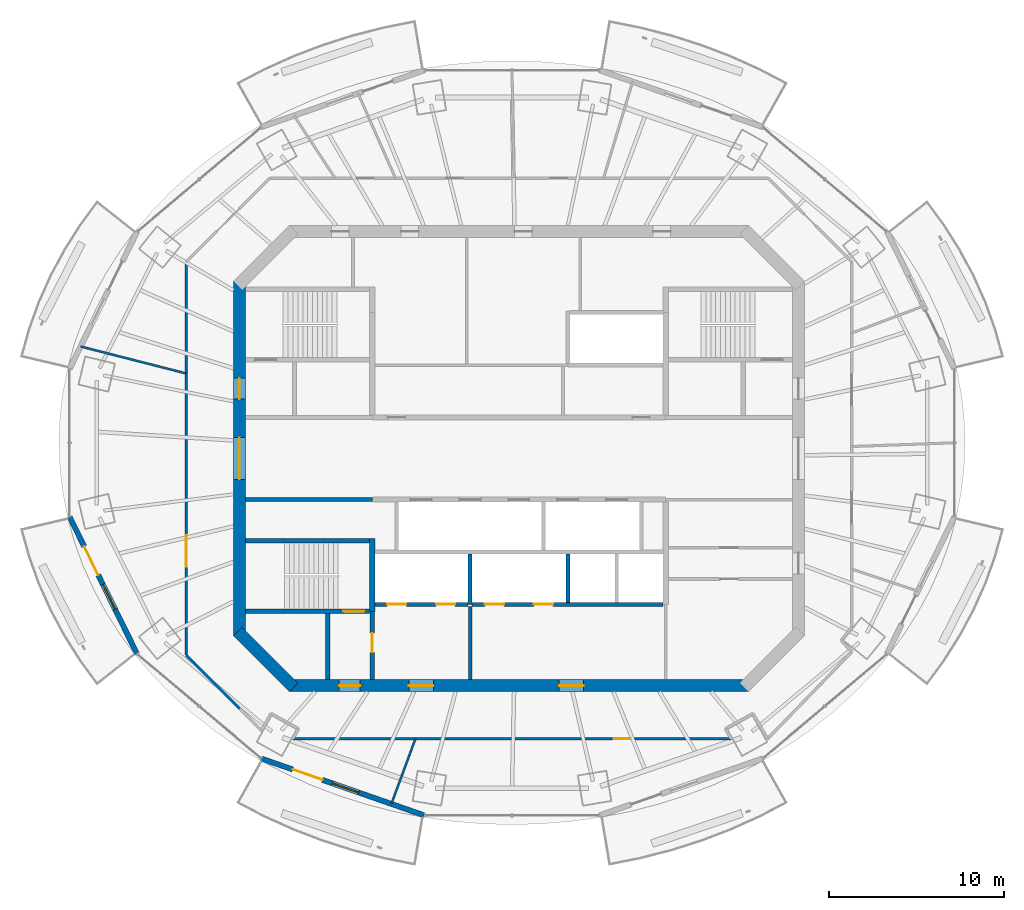
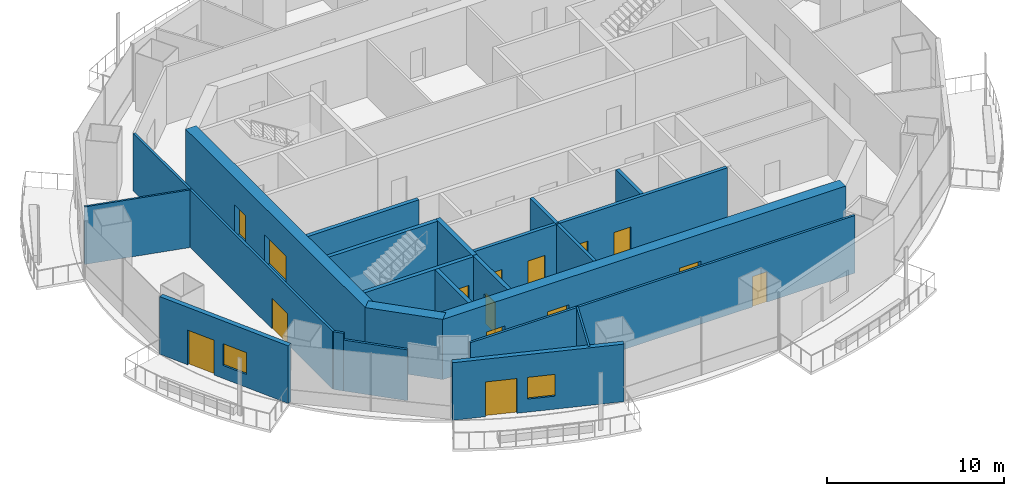
# One storey, part 8 of 16: 22 walls, 15 doors, 2 windows, 17 openings.
"""IFC4 building model written with IfcOpenShell, lengths in metres."""

from ifc_helpers import new_model, si_unit, direction, frame, frame_2d, origin, place, context, subcontext, project, spatial, rectangle, extrude, material, layer, layer_set, type_object, element, fill, save


model = new_model("IFC4")

# Units and contexts
model_context = context("Model", 3, precision=1e-05, world=origin(), true_north=direction((0.0, 1.0)))
body_context = subcontext(model_context, "Body", "Model", "MODEL_VIEW")
ifc_project = project(units=[si_unit("LENGTHUNIT", "METRE"), si_unit("AREAUNIT", "SQUARE_METRE"), si_unit("VOLUMEUNIT", "CUBIC_METRE"), si_unit("PLANEANGLEUNIT", "RADIAN"), si_unit("MASSUNIT", "GRAM", prefix="KILO")], contexts=[model_context])

# Site, building, storey
site_placement = place(None, origin())
site = spatial("IfcSite", under=ifc_project, at=site_placement, CompositionType="ELEMENT")
building_placement = place(site_placement, origin())
building = spatial("IfcBuilding", under=site, at=building_placement, Name="Marenthal Gate Tower", CompositionType="ELEMENT")
storey_placement = place(building_placement, frame((0.0, 0.0, 375.800048828125)))
storey = spatial("IfcBuildingStorey", under=building, at=storey_placement, Name="L85", CompositionType="ELEMENT", Elevation=375.800048828125)

# Wall, openings, doors
ifc_material_1 = material(Name="Concrete 60 MPa", Category="concrete")
ifc_layer_1 = layer(ifc_material_1, 0.699951171875)
ifc_layer_set_1 = layer_set([ifc_layer_1], Name="Core shear wall 700")
wall_type_1 = type_object("IfcWallType", Name="Core shear wall 700", PredefinedType="SHEAR", material=ifc_layer_set_1)
wall_1_placement = place(storey_placement, frame((-16.0, 10.14501953125, -0.179931640625), z_axis=(0.0, 0.0, 1.0), x_axis=(0.0, -1.0, 0.0)))
wall_1 = element("IfcWall", 1, at=wall_1_placement, inside=storey, type_object=wall_type_1, Name="Core wall 06", PredefinedType="SHEAR", context=body_context, shape_type="SweptSolid", body=[
    extrude(rectangle(XDim=20.2900390625, YDim=0.699951171875, at=frame_2d((10.14501953125, 0.0))), origin(), (0.0, 0.0, 1.0), 4.14990234375),
])
opening_1_placement = place(wall_1_placement, frame((8.945068359375, 0.0, 0.179931640625)))
opening_1 = element("IfcOpeningElement", 2, at=opening_1_placement, cuts=wall_1, Name="Opening D003.01", PredefinedType="OPENING", context=body_context, shape_type="SweptSolid", body=[
    extrude(rectangle(XDim=2.39990234375, YDim=2.10009765625, at=frame_2d((1.199951171875, 1.050048828125))), frame((0.0, 0.35986328125, 0.0), z_axis=(0.0, -1.0, 0.0), x_axis=(1.0, 0.0, 0.0)), (0.0, 0.0, 1.0), 0.719970703125),
])
opening_2_placement = place(wall_1_placement, frame((5.544921875, 0.0, 0.179931640625)))
opening_2 = element("IfcOpeningElement", 3, at=opening_2_placement, cuts=wall_1, Name="Opening D001.04", PredefinedType="OPENING", context=body_context, shape_type="SweptSolid", body=[
    extrude(rectangle(XDim=1.199951171875, YDim=2.10009765625, at=frame_2d((0.60009765625, 1.050048828125))), frame((0.0, 0.35986328125, 0.0), z_axis=(0.0, -1.0, 0.0), x_axis=(1.0, 0.0, 0.0)), (0.0, 0.0, 1.0), 0.719970703125),
])
ifc_material_2 = material(Name="Steel fire door", Category="steel")
door_type_1 = type_object("IfcDoorType", Name="Double fire door FD 45 2400 x 2100", OperationType="DOUBLE_DOOR_SINGLE_SWING", PredefinedType="DOOR", material=ifc_material_2)
door_1_placement = place(opening_1_placement, origin())
door_1 = element("IfcDoor", 4, at=door_1_placement, inside=storey, type_object=door_type_1, Name="Door D003.01", OperationType="DOUBLE_DOOR_SINGLE_SWING", OverallHeight=2.10009765625, OverallWidth=2.39990234375, PredefinedType="DOOR", context=body_context, shape_type="SweptSolid", body=[
    extrude(rectangle(XDim=2.39990234375, YDim=2.10009765625, at=frame_2d((1.199951171875, 1.050048828125))), frame((0.0, 0.02490234375, 0.0), z_axis=(0.0, -1.0, 0.0), x_axis=(1.0, 0.0, 0.0)), (0.0, 0.0, 1.0), 0.050048828125),
])
fill(opening_1, door_1)
ifc_material_3 = material(Name="Steel fire door", Category="steel")
door_type_2 = type_object("IfcDoorType", Name="Fire door FD 90 1200 x 2100", OperationType="NOTDEFINED", PredefinedType="DOOR", material=ifc_material_3)
door_2_placement = place(opening_2_placement, origin())
door_2 = element("IfcDoor", 5, at=door_2_placement, inside=storey, type_object=door_type_2, Name="Door D001.04", OperationType="SINGLE_SWING_RIGHT", OverallHeight=2.10009765625, OverallWidth=1.199951171875, PredefinedType="DOOR", context=body_context, shape_type="SweptSolid", body=[
    extrude(rectangle(XDim=1.199951171875, YDim=2.10009765625, at=frame_2d((0.60009765625, 1.050048828125))), frame((0.0, 0.02490234375, 0.0), z_axis=(0.0, -1.0, 0.0), x_axis=(1.0, 0.0, 0.0)), (0.0, 0.0, 1.0), 0.050048828125),
])
fill(opening_2, door_2)

# Wall
wall_2_placement = place(storey_placement, frame((-16.1025390625, -9.8974609375, -0.179931640625), z_axis=(0.0, 0.0, 1.0), x_axis=(0.707106781187, -0.707106781187, 0.0)))
element("IfcWall", 6, at=wall_2_placement, inside=storey, type_object=wall_type_1, Name="Core wall 07", PredefinedType="SHEAR", context=body_context, shape_type="SweptSolid", body=[
    extrude(rectangle(XDim=4.53271484375, YDim=0.699951171875, at=frame_2d((2.266357421875, 0.0))), origin(), (0.0, 0.0, 1.0), 4.14990234375),
])

# Wall, openings, doors
wall_3_placement = place(storey_placement, frame((-13.14501953125, -13.0, -0.179931640625), z_axis=(0.0, 0.0, 1.0), x_axis=(1.0, 0.0, 0.0)))
wall_3 = element("IfcWall", 7, at=wall_3_placement, inside=storey, type_object=wall_type_1, Name="Core wall 08", PredefinedType="SHEAR", context=body_context, shape_type="SweptSolid", body=[
    extrude(rectangle(XDim=26.2900390625, YDim=0.699951171875, at=frame_2d((13.14501953125, 0.0))), origin(), (0.0, 0.0, 1.0), 4.14990234375),
])
opening_3_placement = place(wall_3_placement, frame((2.844970703125, 0.0, 0.179931640625)))
opening_3 = element("IfcOpeningElement", 8, at=opening_3_placement, cuts=wall_3, Name="Opening D001.06", PredefinedType="OPENING", context=body_context, shape_type="SweptSolid", body=[
    extrude(rectangle(XDim=1.199951171875, YDim=2.10009765625, at=frame_2d((0.60009765625, 1.050048828125))), frame((0.0, 0.35986328125, 0.0), z_axis=(0.0, -1.0, 0.0), x_axis=(1.0, 0.0, 0.0)), (0.0, 0.0, 1.0), 0.719970703125),
])
opening_4_placement = place(wall_3_placement, frame((6.844970703125, 0.0, 0.179931640625)))
opening_4 = element("IfcOpeningElement", 9, at=opening_4_placement, cuts=wall_3, Name="Opening D004.01", PredefinedType="OPENING", context=body_context, shape_type="SweptSolid", body=[
    extrude(rectangle(XDim=1.39990234375, YDim=2.10009765625, at=frame_2d((0.699951171875, 1.050048828125))), frame((0.0, 0.35986328125, 0.0), z_axis=(0.0, -1.0, 0.0), x_axis=(1.0, 0.0, 0.0)), (0.0, 0.0, 1.0), 0.719970703125),
])
opening_5_placement = place(wall_3_placement, frame((15.445068359375, 0.0, 0.179931640625)))
opening_5 = element("IfcOpeningElement", 10, at=opening_5_placement, cuts=wall_3, Name="Opening D004.02", PredefinedType="OPENING", context=body_context, shape_type="SweptSolid", body=[
    extrude(rectangle(XDim=1.39990234375, YDim=2.10009765625, at=frame_2d((0.699951171875, 1.050048828125))), frame((0.0, 0.35986328125, 0.0), z_axis=(0.0, -1.0, 0.0), x_axis=(1.0, 0.0, 0.0)), (0.0, 0.0, 1.0), 0.719970703125),
])
ifc_material_4 = material(Name="Steel fire door", Category="steel")
door_type_3 = type_object("IfcDoorType", Name="Fire door FD 45 1400 x 2100", OperationType="NOTDEFINED", PredefinedType="DOOR", material=ifc_material_4)
door_3_placement = place(opening_4_placement, origin())
door_3 = element("IfcDoor", 11, at=door_3_placement, inside=storey, type_object=door_type_3, Name="Door D004.01", OperationType="SINGLE_SWING_RIGHT", OverallHeight=2.10009765625, OverallWidth=1.39990234375, PredefinedType="DOOR", context=body_context, shape_type="SweptSolid", body=[
    extrude(rectangle(XDim=1.39990234375, YDim=2.10009765625, at=frame_2d((0.699951171875, 1.050048828125))), frame((0.0, 0.02490234375, 0.0), z_axis=(0.0, -1.0, 0.0), x_axis=(1.0, 0.0, 0.0)), (0.0, 0.0, 1.0), 0.050048828125),
])
fill(opening_4, door_3)
door_4_placement = place(opening_5_placement, origin())
door_4 = element("IfcDoor", 12, at=door_4_placement, inside=storey, type_object=door_type_3, Name="Door D004.02", OperationType="SINGLE_SWING_RIGHT", OverallHeight=2.10009765625, OverallWidth=1.39990234375, PredefinedType="DOOR", context=body_context, shape_type="SweptSolid", body=[
    extrude(rectangle(XDim=1.39990234375, YDim=2.10009765625, at=frame_2d((0.699951171875, 1.050048828125))), frame((0.0, 0.02490234375, 0.0), z_axis=(0.0, -1.0, 0.0), x_axis=(1.0, 0.0, 0.0)), (0.0, 0.0, 1.0), 0.050048828125),
])
fill(opening_5, door_4)
door_5_placement = place(opening_3_placement, origin())
door_5 = element("IfcDoor", 13, at=door_5_placement, inside=storey, type_object=door_type_2, Name="Door D001.06", OperationType="SINGLE_SWING_RIGHT", OverallHeight=2.10009765625, OverallWidth=1.199951171875, PredefinedType="DOOR", context=body_context, shape_type="SweptSolid", body=[
    extrude(rectangle(XDim=1.199951171875, YDim=2.10009765625, at=frame_2d((0.60009765625, 1.050048828125))), frame((0.0, 0.02490234375, 0.0), z_axis=(0.0, -1.0, 0.0), x_axis=(1.0, 0.0, 0.0)), (0.0, 0.0, 1.0), 0.050048828125),
])
fill(opening_3, door_5)

# Walls
ifc_material_5 = material(Name="Gypsum board on steel studs", Category="steel")
ifc_layer_2 = layer(ifc_material_5, 0.199951171875)
ifc_layer_set_2 = layer_set([ifc_layer_2], Name="Fire lobby wall 200")
wall_type_2 = type_object("IfcWallType", Name="Fire lobby wall 200", PredefinedType="PARTITIONING", material=ifc_layer_set_2)
wall_4_placement = place(storey_placement, frame((-2.800048828125, -12.64990234375, 0.0), z_axis=(0.0, 0.0, 1.0), x_axis=(0.0, 1.0, 0.0)))
element("IfcWall", 14, at=wall_4_placement, inside=storey, type_object=wall_type_2, Name="Fire wall 38", PredefinedType="PARTITIONING", context=body_context, shape_type="SweptSolid", body=[
    extrude(rectangle(XDim=4.18994140625, YDim=0.199951171875, at=frame_2d((2.094970703125, 0.0))), origin(), (0.0, 0.0, 1.0), 3.969970703125),
])
ifc_material_6 = material(Name="Concrete 50 MPa", Category="concrete")
ifc_layer_3 = layer(ifc_material_6, 0.300048828125)
ifc_layer_set_3 = layer_set([ifc_layer_3], Name="Hoistway shear wall 300")
wall_type_3 = type_object("IfcWallType", Name="Hoistway shear wall 300", PredefinedType="SHEAR", material=ifc_layer_set_3)
wall_5_placement = place(storey_placement, frame((-8.39990234375, -8.75, -0.179931640625), z_axis=(0.0, 0.0, 1.0), x_axis=(0.0, 1.0, 0.0)))
element("IfcWall", 15, at=wall_5_placement, inside=storey, type_object=wall_type_3, Name="Hoistway wall 33", PredefinedType="SHEAR", context=body_context, shape_type="SweptSolid", body=[
    extrude(rectangle(XDim=4.175048828125, YDim=0.300048828125, at=frame_2d((2.08740234375, 0.0))), origin(), (0.0, 0.0, 1.0), 4.14990234375),
])

# Wall, openings, doors
ifc_material_7 = material(Name="Concrete 40 MPa", Category="concrete")
ifc_layer_4 = layer(ifc_material_7, 0.219970703125)
ifc_layer_set_4 = layer_set([ifc_layer_4], Name="Hoistway wall 220")
wall_type_4 = type_object("IfcWallType", Name="Hoistway wall 220", PredefinedType="STANDARD", material=ifc_layer_set_4)
wall_6_placement = place(storey_placement, frame((-8.25, -8.35009765625, 0.0), z_axis=(0.0, 0.0, 1.0), x_axis=(1.0, 0.0, 0.0)))
wall_6 = element("IfcWall", 16, at=wall_6_placement, inside=storey, type_object=wall_type_4, Name="Hoistway wall 10", PredefinedType="STANDARD", context=body_context, shape_type="SweptSolid", body=[
    extrude(rectangle(XDim=5.340087890625, YDim=0.219970703125, at=frame_2d((2.669921875, 0.0))), origin(), (0.0, 0.0, 1.0), 3.969970703125),
])
opening_6_placement = place(wall_6_placement, frame((0.699951171875, 0.0, 0.0)))
opening_6 = element("IfcOpeningElement", 17, at=opening_6_placement, cuts=wall_6, Name="Opening LD-LF1", PredefinedType="OPENING", context=body_context, shape_type="SweptSolid", body=[
    extrude(rectangle(XDim=1.10009765625, YDim=2.10009765625, at=frame_2d((0.550048828125, 1.050048828125))), frame((0.0, 0.1201171875, 0.0), z_axis=(0.0, -1.0, 0.0), x_axis=(1.0, 0.0, 0.0)), (0.0, 0.0, 1.0), 0.239990234375),
])
opening_7_placement = place(wall_6_placement, frame((3.5, 0.0, 0.0)))
opening_7 = element("IfcOpeningElement", 18, at=opening_7_placement, cuts=wall_6, Name="Opening LD-LF2", PredefinedType="OPENING", context=body_context, shape_type="SweptSolid", body=[
    extrude(rectangle(XDim=1.10009765625, YDim=2.10009765625, at=frame_2d((0.550048828125, 1.050048828125))), frame((0.0, 0.1201171875, 0.0), z_axis=(0.0, -1.0, 0.0), x_axis=(1.0, 0.0, 0.0)), (0.0, 0.0, 1.0), 0.239990234375),
])
ifc_material_8 = material(Name="Stainless steel sliding door", Category="steel")
door_type_4 = type_object("IfcDoorType", Name="Lift landing door FD 90 1100 x 2100", OperationType="DOUBLE_DOOR_SLIDING", PredefinedType="DOOR", material=ifc_material_8)
door_6_placement = place(opening_6_placement, origin())
door_6 = element("IfcDoor", 19, at=door_6_placement, inside=storey, type_object=door_type_4, Name="Lift landing door LF1", OperationType="DOUBLE_DOOR_SLIDING", OverallHeight=2.10009765625, OverallWidth=1.10009765625, PredefinedType="DOOR", context=body_context, shape_type="SweptSolid", body=[
    extrude(rectangle(XDim=1.10009765625, YDim=2.10009765625, at=frame_2d((0.550048828125, 1.050048828125))), frame((0.0, 0.02490234375, 0.0), z_axis=(0.0, -1.0, 0.0), x_axis=(1.0, 0.0, 0.0)), (0.0, 0.0, 1.0), 0.050048828125),
])
fill(opening_6, door_6)
door_7_placement = place(opening_7_placement, origin())
door_7 = element("IfcDoor", 20, at=door_7_placement, inside=storey, type_object=door_type_4, Name="Lift landing door LF2", OperationType="DOUBLE_DOOR_SLIDING", OverallHeight=2.10009765625, OverallWidth=1.10009765625, PredefinedType="DOOR", context=body_context, shape_type="SweptSolid", body=[
    extrude(rectangle(XDim=1.10009765625, YDim=2.10009765625, at=frame_2d((0.550048828125, 1.050048828125))), frame((0.0, 0.02490234375, 0.0), z_axis=(0.0, -1.0, 0.0), x_axis=(1.0, 0.0, 0.0)), (0.0, 0.0, 1.0), 0.050048828125),
])
fill(opening_7, door_7)

wall_7_placement = place(storey_placement, frame((-2.68994140625, -8.35009765625, 0.0), z_axis=(0.0, 0.0, 1.0), x_axis=(1.0, 0.0, 0.0)))
wall_7 = element("IfcWall", 21, at=wall_7_placement, inside=storey, type_object=wall_type_4, Name="Hoistway wall 11", PredefinedType="STANDARD", context=body_context, shape_type="SweptSolid", body=[
    extrude(rectangle(XDim=10.93994140625, YDim=0.219970703125, at=frame_2d((5.469970703125, 0.0))), origin(), (0.0, 0.0, 1.0), 3.969970703125),
])
opening_8_placement = place(wall_7_placement, frame((0.739990234375, 0.0, 0.0)))
opening_8 = element("IfcOpeningElement", 22, at=opening_8_placement, cuts=wall_7, Name="Opening LD-SV1", PredefinedType="OPENING", context=body_context, shape_type="SweptSolid", body=[
    extrude(rectangle(XDim=1.10009765625, YDim=2.10009765625, at=frame_2d((0.550048828125, 1.050048828125))), frame((0.0, 0.1201171875, 0.0), z_axis=(0.0, -1.0, 0.0), x_axis=(1.0, 0.0, 0.0)), (0.0, 0.0, 1.0), 0.239990234375),
])
opening_9_placement = place(wall_7_placement, frame((3.5400390625, 0.0, 0.0)))
opening_9 = element("IfcOpeningElement", 23, at=opening_9_placement, cuts=wall_7, Name="Opening LD-SV2", PredefinedType="OPENING", context=body_context, shape_type="SweptSolid", body=[
    extrude(rectangle(XDim=1.10009765625, YDim=2.10009765625, at=frame_2d((0.550048828125, 1.050048828125))), frame((0.0, 0.1201171875, 0.0), z_axis=(0.0, -1.0, 0.0), x_axis=(1.0, 0.0, 0.0)), (0.0, 0.0, 1.0), 0.239990234375),
])
door_8_placement = place(opening_8_placement, origin())
door_8 = element("IfcDoor", 24, at=door_8_placement, inside=storey, type_object=door_type_4, Name="Lift landing door SV1", OperationType="DOUBLE_DOOR_SLIDING", OverallHeight=2.10009765625, OverallWidth=1.10009765625, PredefinedType="DOOR", context=body_context, shape_type="SweptSolid", body=[
    extrude(rectangle(XDim=1.10009765625, YDim=2.10009765625, at=frame_2d((0.550048828125, 1.050048828125))), frame((0.0, 0.02490234375, 0.0), z_axis=(0.0, -1.0, 0.0), x_axis=(1.0, 0.0, 0.0)), (0.0, 0.0, 1.0), 0.050048828125),
])
fill(opening_8, door_8)
door_9_placement = place(opening_9_placement, origin())
door_9 = element("IfcDoor", 25, at=door_9_placement, inside=storey, type_object=door_type_4, Name="Lift landing door SV2", OperationType="DOUBLE_DOOR_SLIDING", OverallHeight=2.10009765625, OverallWidth=1.10009765625, PredefinedType="DOOR", context=body_context, shape_type="SweptSolid", body=[
    extrude(rectangle(XDim=1.10009765625, YDim=2.10009765625, at=frame_2d((0.550048828125, 1.050048828125))), frame((0.0, 0.02490234375, 0.0), z_axis=(0.0, -1.0, 0.0), x_axis=(1.0, 0.0, 0.0)), (0.0, 0.0, 1.0), 0.050048828125),
])
fill(opening_9, door_9)

# Walls
wall_8_placement = place(storey_placement, frame((-2.800048828125, -8.35009765625, 0.0), z_axis=(0.0, 0.0, 1.0), x_axis=(0.0, 1.0, 0.0)))
element("IfcWall", 26, at=wall_8_placement, inside=storey, type_object=wall_type_4, Name="Hoistway wall 39", PredefinedType="STANDARD", context=body_context, shape_type="SweptSolid", body=[
    extrude(rectangle(XDim=2.89013671875, YDim=0.219970703125, at=frame_2d((1.445068359375, 0.0))), origin(), (0.0, 0.0, 1.0), 3.969970703125),
])
wall_9_placement = place(storey_placement, frame((2.800048828125, -8.239990234375, 0.0), z_axis=(0.0, 0.0, 1.0), x_axis=(0.0, 1.0, 0.0)))
element("IfcWall", 27, at=wall_9_placement, inside=storey, type_object=wall_type_4, Name="Hoistway wall 42", PredefinedType="STANDARD", context=body_context, shape_type="SweptSolid", body=[
    extrude(rectangle(XDim=2.780029296875, YDim=0.219970703125, at=frame_2d((1.39013671875, 0.0))), origin(), (0.0, 0.0, 1.0), 3.969970703125),
])
ifc_material_9 = material(Name="Gypsum board on steel studs", Category="steel")
ifc_layer_5 = layer(ifc_material_9, 0.1201171875)
ifc_layer_set_5 = layer_set([ifc_layer_5], Name="Partition 120")
wall_type_5 = type_object("IfcWallType", Name="Partition 120", PredefinedType="PARTITIONING", material=ifc_layer_set_5)
wall_10_placement = place(storey_placement, frame((-19.050048828125, 4.868408203125, 0.0), z_axis=(0.0, 0.0, 1.0), x_axis=(-0.968871434857, 0.247564421351, 0.0)))
element("IfcWall", 28, at=wall_10_placement, inside=storey, type_object=wall_type_5, Name="Partition wall 53", PredefinedType="PARTITIONING", context=body_context, shape_type="SweptSolid", body=[
    extrude(rectangle(XDim=6.244384765625, YDim=0.1201171875, at=frame_2d((3.1220703125, 0.0))), origin(), (0.0, 0.0, 1.0), 3.969970703125),
])
wall_11_placement = place(storey_placement, frame((-5.929931640625, -16.050048828125, 0.0), z_axis=(0.0, 0.0, 1.0), x_axis=(-0.346585471855, -0.938018395715, 0.0)))
element("IfcWall", 29, at=wall_11_placement, inside=storey, type_object=wall_type_5, Name="Partition wall 62", PredefinedType="PARTITIONING", context=body_context, shape_type="SweptSolid", body=[
    extrude(rectangle(XDim=3.971435546875, YDim=0.1201171875, at=frame_2d((1.98583984375, 0.0))), origin(), (0.0, 0.0, 1.0), 3.969970703125),
])

# Wall, opening, door
ifc_material_10 = material(Name="Gypsum board on steel studs", Category="steel")
ifc_layer_6 = layer(ifc_material_10, 0.14990234375)
ifc_layer_set_6 = layer_set([ifc_layer_6], Name="Partition 150")
wall_type_6 = type_object("IfcWallType", Name="Partition 150", PredefinedType="PARTITIONING", material=ifc_layer_set_6)
wall_12_placement = place(storey_placement, frame((-19.050048828125, -11.263427734375, 0.0), z_axis=(0.0, 0.0, 1.0), x_axis=(0.0, 1.0, 0.0)))
wall_12 = element("IfcWall", 30, at=wall_12_placement, inside=storey, type_object=wall_type_6, Name="Partition wall 52", PredefinedType="PARTITIONING", context=body_context, shape_type="SweptSolid", body=[
    extrude(rectangle(XDim=22.52685546875, YDim=0.14990234375, at=frame_2d((11.263427734375, 0.0))), origin(), (0.0, 0.0, 1.0), 3.969970703125),
])
opening_10_placement = place(wall_12_placement, frame((5.06494140625, 0.0, 0.0)))
opening_10 = element("IfcOpeningElement", 31, at=opening_10_placement, cuts=wall_12, Name="Opening D014.03", PredefinedType="OPENING", context=body_context, shape_type="SweptSolid", body=[
    extrude(rectangle(XDim=1.800048828125, YDim=2.10009765625, at=frame_2d((0.89990234375, 1.050048828125))), frame((0.0, 0.0849609375, 0.0), z_axis=(0.0, -1.0, 0.0), x_axis=(1.0, 0.0, 0.0)), (0.0, 0.0, 1.0), 0.169921875),
])
ifc_material_11 = material(Name="Timber door", Category="wood")
door_type_5 = type_object("IfcDoorType", Name="Double door 1800 x 2100", OperationType="DOUBLE_DOOR_SINGLE_SWING", PredefinedType="DOOR", material=ifc_material_11)
door_10_placement = place(opening_10_placement, origin())
door_10 = element("IfcDoor", 32, at=door_10_placement, inside=storey, type_object=door_type_5, Name="Door D014.03", OperationType="DOUBLE_DOOR_SINGLE_SWING", OverallHeight=2.10009765625, OverallWidth=1.800048828125, PredefinedType="DOOR", context=body_context, shape_type="SweptSolid", body=[
    extrude(rectangle(XDim=1.800048828125, YDim=2.10009765625, at=frame_2d((0.89990234375, 1.050048828125))), frame((0.0, 0.02490234375, 0.0), z_axis=(0.0, -1.0, 0.0), x_axis=(1.0, 0.0, 0.0)), (0.0, 0.0, 1.0), 0.050048828125),
])
fill(opening_10, door_10)

# Walls
wall_13_placement = place(storey_placement, frame((-15.99267578125, -14.32080078125, 0.0), z_axis=(0.0, 0.0, 1.0), x_axis=(-0.70707399087, 0.707139569983, 0.0)))
element("IfcWall", 33, at=wall_13_placement, inside=storey, type_object=wall_type_6, Name="Partition wall 77", PredefinedType="PARTITIONING", context=body_context, shape_type="SweptSolid", body=[
    extrude(rectangle(XDim=3.722900390625, YDim=0.14990234375, at=frame_2d((1.861328125, 0.0))), origin(), (0.0, 0.0, 1.0), 3.512939453125),
])
wall_14_placement = place(storey_placement, frame((-18.625, -11.688232421875, 0.0), z_axis=(0.0, 0.0, 1.0), x_axis=(-0.707309885233, 0.706903618785, 0.0)))
element("IfcWall", 34, at=wall_14_placement, inside=storey, type_object=wall_type_6, Name="Partition wall 78", PredefinedType="PARTITIONING", context=body_context, shape_type="SweptSolid", body=[
    extrude(rectangle(XDim=0.600830078125, YDim=0.14990234375, at=frame_2d((0.30029296875, 0.0))), origin(), (0.0, 0.0, 1.0), 3.969970703125),
])

# Wall, opening, door
wall_15_placement = place(storey_placement, frame((12.140380859375, -16.050048828125, 0.0), z_axis=(0.0, 0.0, 1.0), x_axis=(-1.0, 0.0, 0.0)))
wall_15 = element("IfcWall", 35, at=wall_15_placement, inside=storey, type_object=wall_type_6, Name="Partition wall 66", PredefinedType="PARTITIONING", context=body_context, shape_type="SweptSolid", body=[
    extrude(rectangle(XDim=25.080810546875, YDim=0.14990234375, at=frame_2d((12.54052734375, 0.0))), origin(), (0.0, 0.0, 1.0), 3.969970703125),
])
opening_11_placement = place(wall_15_placement, frame((5.751953125, 0.0, 0.0)))
opening_11 = element("IfcOpeningElement", 36, at=opening_11_placement, cuts=wall_15, Name="Opening D016.05", PredefinedType="OPENING", context=body_context, shape_type="SweptSolid", body=[
    extrude(rectangle(XDim=0.949951171875, YDim=2.10009765625, at=frame_2d((0.47509765625, 1.050048828125))), frame((0.0, 0.0849609375, 0.0), z_axis=(0.0, -1.0, 0.0), x_axis=(1.0, 0.0, 0.0)), (0.0, 0.0, 1.0), 0.169921875),
])
ifc_material_12 = material(Name="Timber door", Category="wood")
door_type_6 = type_object("IfcDoorType", Name="Door 950 x 2100", OperationType="NOTDEFINED", PredefinedType="DOOR", material=ifc_material_12)
door_11_placement = place(opening_11_placement, frame((0.949951171875, 0.0, 0.0), z_axis=(0.0, 0.0, 1.0), x_axis=(-1.0, 0.0, 0.0)))
door_11 = element("IfcDoor", 37, at=door_11_placement, inside=storey, type_object=door_type_6, Name="Door D016.05", OperationType="SINGLE_SWING_LEFT", OverallHeight=2.10009765625, OverallWidth=0.949951171875, PredefinedType="DOOR", context=body_context, shape_type="SweptSolid", body=[
    extrude(rectangle(XDim=0.949951171875, YDim=2.10009765625, at=frame_2d((0.47509765625, 1.050048828125))), frame((0.0, 0.02490234375, 0.0), z_axis=(0.0, -1.0, 0.0), x_axis=(1.0, 0.0, 0.0)), (0.0, 0.0, 1.0), 0.050048828125),
])
fill(opening_11, door_11)

# Walls
ifc_material_13 = material(Name="Concrete 40 MPa", Category="concrete")
ifc_layer_7 = layer(ifc_material_13, 0.25)
ifc_layer_set_7 = layer_set([ifc_layer_7], Name="Stair enclosure wall 250")
wall_type_7 = type_object("IfcWallType", Name="Stair enclosure wall 250", PredefinedType="STANDARD", material=ifc_layer_set_7)
wall_16_placement = place(storey_placement, frame((-15.64990234375, -2.35009765625, 0.0), z_axis=(0.0, 0.0, 1.0), x_axis=(1.0, 0.0, 0.0)))
element("IfcWall", 38, at=wall_16_placement, inside=storey, type_object=wall_type_7, Name="Stair wall 16", PredefinedType="STANDARD", context=body_context, shape_type="SweptSolid", body=[
    extrude(rectangle(XDim=7.25, YDim=0.25, at=frame_2d((3.625, 0.0))), origin(), (0.0, 0.0, 1.0), 3.969970703125),
])
wall_17_placement = place(storey_placement, frame((-10.949951171875, -12.64990234375, 0.0), z_axis=(0.0, 0.0, 1.0), x_axis=(0.0, 1.0, 0.0)))
element("IfcWall", 39, at=wall_17_placement, inside=storey, type_object=wall_type_7, Name="Stair wall 30", PredefinedType="STANDARD", context=body_context, shape_type="SweptSolid", body=[
    extrude(rectangle(XDim=3.77490234375, YDim=0.25, at=frame_2d((1.887451171875, 0.0))), origin(), (0.0, 0.0, 1.0), 3.969970703125),
])

# Wall, opening, door
wall_18_placement = place(storey_placement, frame((-8.39990234375, -12.64990234375, 0.0), z_axis=(0.0, 0.0, 1.0), x_axis=(0.0, 1.0, 0.0)))
wall_18 = element("IfcWall", 40, at=wall_18_placement, inside=storey, type_object=wall_type_7, Name="Stair wall 32", PredefinedType="STANDARD", context=body_context, shape_type="SweptSolid", body=[
    extrude(rectangle(XDim=3.89990234375, YDim=0.25, at=frame_2d((1.949951171875, 0.0))), origin(), (0.0, 0.0, 1.0), 3.969970703125),
])
opening_12_placement = place(wall_18_placement, frame((1.550048828125, 0.0, 0.0)))
opening_12 = element("IfcOpeningElement", 41, at=opening_12_placement, cuts=wall_18, Name="Opening D002.01", PredefinedType="OPENING", context=body_context, shape_type="SweptSolid", body=[
    extrude(rectangle(XDim=1.10009765625, YDim=2.10009765625, at=frame_2d((0.550048828125, 1.050048828125))), frame((0.0, 0.135009765625, 0.0), z_axis=(0.0, -1.0, 0.0), x_axis=(1.0, 0.0, 0.0)), (0.0, 0.0, 1.0), 0.27001953125),
])
ifc_material_14 = material(Name="Steel fire door", Category="steel")
door_type_7 = type_object("IfcDoorType", Name="Fire door FD 90 1100 x 2100", OperationType="NOTDEFINED", PredefinedType="DOOR", material=ifc_material_14)
door_12_placement = place(opening_12_placement, origin())
door_12 = element("IfcDoor", 42, at=door_12_placement, inside=storey, type_object=door_type_7, Name="Door D002.01", OperationType="SINGLE_SWING_RIGHT", OverallHeight=2.10009765625, OverallWidth=1.10009765625, PredefinedType="DOOR", context=body_context, shape_type="SweptSolid", body=[
    extrude(rectangle(XDim=1.10009765625, YDim=2.10009765625, at=frame_2d((0.550048828125, 1.050048828125))), frame((0.0, 0.02490234375, 0.0), z_axis=(0.0, -1.0, 0.0), x_axis=(1.0, 0.0, 0.0)), (0.0, 0.0, 1.0), 0.050048828125),
])
fill(opening_12, door_12)

ifc_material_15 = material(Name="Concrete 50 MPa", Category="concrete")
ifc_layer_8 = layer(ifc_material_15, 0.25)
ifc_layer_set_8 = layer_set([ifc_layer_8], Name="Stair shear wall 250")
wall_type_8 = type_object("IfcWallType", Name="Stair shear wall 250", PredefinedType="SHEAR", material=ifc_layer_set_8)
wall_19_placement = place(storey_placement, frame((-15.64990234375, -8.75, -0.179931640625), z_axis=(0.0, 0.0, 1.0), x_axis=(1.0, 0.0, 0.0)))
wall_19 = element("IfcWall", 43, at=wall_19_placement, inside=storey, type_object=wall_type_8, Name="Stair wall 09", PredefinedType="SHEAR", context=body_context, shape_type="SweptSolid", body=[
    extrude(rectangle(XDim=7.099853515625, YDim=0.25, at=frame_2d((3.5498046875, 0.0))), origin(), (0.0, 0.0, 1.0), 4.14990234375),
])
opening_13_placement = place(wall_19_placement, frame((5.60009765625, 0.0, 0.179931640625)))
opening_13 = element("IfcOpeningElement", 44, at=opening_13_placement, cuts=wall_19, Name="Opening D001.03", PredefinedType="OPENING", context=body_context, shape_type="SweptSolid", body=[
    extrude(rectangle(XDim=1.199951171875, YDim=2.10009765625, at=frame_2d((0.60009765625, 1.050048828125))), frame((0.0, 0.135009765625, 0.0), z_axis=(0.0, -1.0, 0.0), x_axis=(1.0, 0.0, 0.0)), (0.0, 0.0, 1.0), 0.27001953125),
])
door_13_placement = place(opening_13_placement, origin())
door_13 = element("IfcDoor", 45, at=door_13_placement, inside=storey, type_object=door_type_2, Name="Door D001.03", OperationType="SINGLE_SWING_RIGHT", OverallHeight=2.10009765625, OverallWidth=1.199951171875, PredefinedType="DOOR", context=body_context, shape_type="SweptSolid", body=[
    extrude(rectangle(XDim=1.199951171875, YDim=2.10009765625, at=frame_2d((0.60009765625, 1.050048828125))), frame((0.0, 0.02490234375, 0.0), z_axis=(0.0, -1.0, 0.0), x_axis=(1.0, 0.0, 0.0)), (0.0, 0.0, 1.0), 0.050048828125),
])
fill(opening_13, door_13)

# Wall
wall_20_placement = place(storey_placement, frame((-15.64990234375, -4.699951171875, -0.179931640625), z_axis=(0.0, 0.0, 1.0), x_axis=(1.0, 0.0, 0.0)))
element("IfcWall", 46, at=wall_20_placement, inside=storey, type_object=wall_type_8, Name="Stair wall 15", PredefinedType="SHEAR", context=body_context, shape_type="SweptSolid", body=[
    extrude(rectangle(XDim=7.099853515625, YDim=0.25, at=frame_2d((3.5498046875, 0.0))), origin(), (0.0, 0.0, 1.0), 4.14990234375),
])

# Wall, openings, door, window
ifc_material_16 = material(Name="Terracotta cladding on insulated concrete-block backing", Category="masonry")
ifc_layer_9 = layer(ifc_material_16, 0.300048828125)
ifc_layer_set_9 = layer_set([ifc_layer_9], Name="Terracotta facade wall 300")
wall_type_9 = type_object("IfcWallType", Name="Terracotta facade wall 300", PredefinedType="SOLIDWALL", material=ifc_layer_set_9)
wall_21_placement = place(storey_placement, frame((-25.725830078125, -3.34228515625, 0.0), z_axis=(0.0, 0.0, 1.0), x_axis=(0.44137978975, -0.897320389382, 0.0)))
wall_21 = element("IfcWall", 47, at=wall_21_placement, inside=storey, type_object=wall_type_9, Name="Terracotta facade wall L85 bay 9", PredefinedType="SOLIDWALL", context=body_context, shape_type="SweptSolid", body=[
    extrude(rectangle(XDim=8.735595703125, YDim=0.300048828125, at=frame_2d((4.36767578125, 0.0))), origin(), (0.0, 0.0, 1.0), 3.969970703125),
])
opening_14_placement = place(wall_21_placement, frame((1.89990234375, 0.0, 0.0)))
opening_14 = element("IfcOpeningElement", 48, at=opening_14_placement, cuts=wall_21, Name="Opening BD-L85-09", PredefinedType="OPENING", context=body_context, shape_type="SweptSolid", body=[
    extrude(rectangle(XDim=1.800048828125, YDim=2.39990234375, at=frame_2d((0.89990234375, 1.199951171875))), frame((0.0, 0.16015625, 0.0), z_axis=(0.0, -1.0, 0.0), x_axis=(1.0, 0.0, 0.0)), (0.0, 0.0, 1.0), 0.320068359375),
])
opening_15_placement = place(wall_21_placement, frame((4.300048828125, 0.0, 0.89990234375)))
opening_15 = element("IfcOpeningElement", 49, at=opening_15_placement, cuts=wall_21, Name="Opening WN3-L85-09", PredefinedType="OPENING", context=body_context, shape_type="SweptSolid", body=[
    extrude(rectangle(XDim=1.60009765625, YDim=1.5, at=frame_2d((0.800048828125, 0.75))), frame((0.0, 0.16015625, 0.0), z_axis=(0.0, -1.0, 0.0), x_axis=(1.0, 0.0, 0.0)), (0.0, 0.0, 1.0), 0.320068359375),
])
ifc_material_17 = material(Name="Aluminium and glass", Category="aluminium")
door_type_8 = type_object("IfcDoorType", Name="Balcony door 1800x2400", OperationType="DOUBLE_DOOR_SINGLE_SWING", PredefinedType="DOOR", material=ifc_material_17)
door_14_placement = place(opening_14_placement, origin())
door_14 = element("IfcDoor", 50, at=door_14_placement, inside=storey, type_object=door_type_8, Name="Balcony door L85 bay 9", OperationType="SINGLE_SWING_LEFT", OverallHeight=2.39990234375, OverallWidth=1.800048828125, PredefinedType="DOOR", context=body_context, shape_type="SweptSolid", body=[
    extrude(rectangle(XDim=1.800048828125, YDim=2.39990234375, at=frame_2d((0.89990234375, 1.199951171875))), frame((0.0, 0.02490234375, 0.0), z_axis=(0.0, -1.0, 0.0), x_axis=(1.0, 0.0, 0.0)), (0.0, 0.0, 1.0), 0.050048828125),
])
fill(opening_14, door_14)
ifc_material_18 = material(Name="Aluminium and glass", Category="aluminium")
window_type = type_object("IfcWindowType", Name="Window 1600x1500", PartitioningType="DOUBLE_PANEL_VERTICAL", PredefinedType="WINDOW", material=ifc_material_18)
window_1_placement = place(opening_15_placement, origin())
window_1 = element("IfcWindow", 51, at=window_1_placement, inside=storey, type_object=window_type, Name="Window L85 bay 9", OverallHeight=1.5, OverallWidth=1.60009765625, PartitioningType="SINGLE_PANEL", PredefinedType="WINDOW", context=body_context, shape_type="SweptSolid", body=[
    extrude(rectangle(XDim=1.60009765625, YDim=1.5, at=frame_2d((0.800048828125, 0.75))), frame((0.0, 0.030029296875, 0.0), z_axis=(0.0, -1.0, 0.0), x_axis=(1.0, 0.0, 0.0)), (0.0, 0.0, 1.0), 0.06005859375),
])
fill(opening_15, window_1)

wall_22_placement = place(storey_placement, frame((-14.745849609375, -17.180419921875, 0.0), z_axis=(0.0, 0.0, 1.0), x_axis=(0.944206092036, -0.329355212138, 0.0)))
wall_22 = element("IfcWall", 52, at=wall_22_placement, inside=storey, type_object=wall_type_9, Name="Terracotta facade wall L85 bay 11", PredefinedType="SOLIDWALL", context=body_context, shape_type="SweptSolid", body=[
    extrude(rectangle(XDim=9.858154296875, YDim=0.300048828125, at=frame_2d((4.92919921875, 0.0))), origin(), (0.0, 0.0, 1.0), 3.969970703125),
])
opening_16_placement = place(wall_22_placement, frame((1.89990234375, 0.0, 0.0)))
opening_16 = element("IfcOpeningElement", 53, at=opening_16_placement, cuts=wall_22, Name="Opening BD-L85-11", PredefinedType="OPENING", context=body_context, shape_type="SweptSolid", body=[
    extrude(rectangle(XDim=1.800048828125, YDim=2.39990234375, at=frame_2d((0.89990234375, 1.199951171875))), frame((0.0, 0.16015625, 0.0), z_axis=(0.0, -1.0, 0.0), x_axis=(1.0, 0.0, 0.0)), (0.0, 0.0, 1.0), 0.320068359375),
])
opening_17_placement = place(wall_22_placement, frame((4.300048828125, 0.0, 0.89990234375)))
opening_17 = element("IfcOpeningElement", 54, at=opening_17_placement, cuts=wall_22, Name="Opening WN3-L85-11", PredefinedType="OPENING", context=body_context, shape_type="SweptSolid", body=[
    extrude(rectangle(XDim=1.60009765625, YDim=1.5, at=frame_2d((0.800048828125, 0.75))), frame((0.0, 0.16015625, 0.0), z_axis=(0.0, -1.0, 0.0), x_axis=(1.0, 0.0, 0.0)), (0.0, 0.0, 1.0), 0.320068359375),
])
door_15_placement = place(opening_16_placement, origin())
door_15 = element("IfcDoor", 55, at=door_15_placement, inside=storey, type_object=door_type_8, Name="Balcony door L85 bay 11", OperationType="SINGLE_SWING_LEFT", OverallHeight=2.39990234375, OverallWidth=1.800048828125, PredefinedType="DOOR", context=body_context, shape_type="SweptSolid", body=[
    extrude(rectangle(XDim=1.800048828125, YDim=2.39990234375, at=frame_2d((0.89990234375, 1.199951171875))), frame((0.0, 0.02490234375, 0.0), z_axis=(0.0, -1.0, 0.0), x_axis=(1.0, 0.0, 0.0)), (0.0, 0.0, 1.0), 0.050048828125),
])
fill(opening_16, door_15)
window_2_placement = place(opening_17_placement, origin())
window_2 = element("IfcWindow", 56, at=window_2_placement, inside=storey, type_object=window_type, Name="Window L85 bay 11", OverallHeight=1.5, OverallWidth=1.60009765625, PartitioningType="SINGLE_PANEL", PredefinedType="WINDOW", context=body_context, shape_type="SweptSolid", body=[
    extrude(rectangle(XDim=1.60009765625, YDim=1.5, at=frame_2d((0.800048828125, 0.75))), frame((0.0, 0.030029296875, 0.0), z_axis=(0.0, -1.0, 0.0), x_axis=(1.0, 0.0, 0.0)), (0.0, 0.0, 1.0), 0.06005859375),
])
fill(opening_17, window_2)

save(model, "model.ifc")
